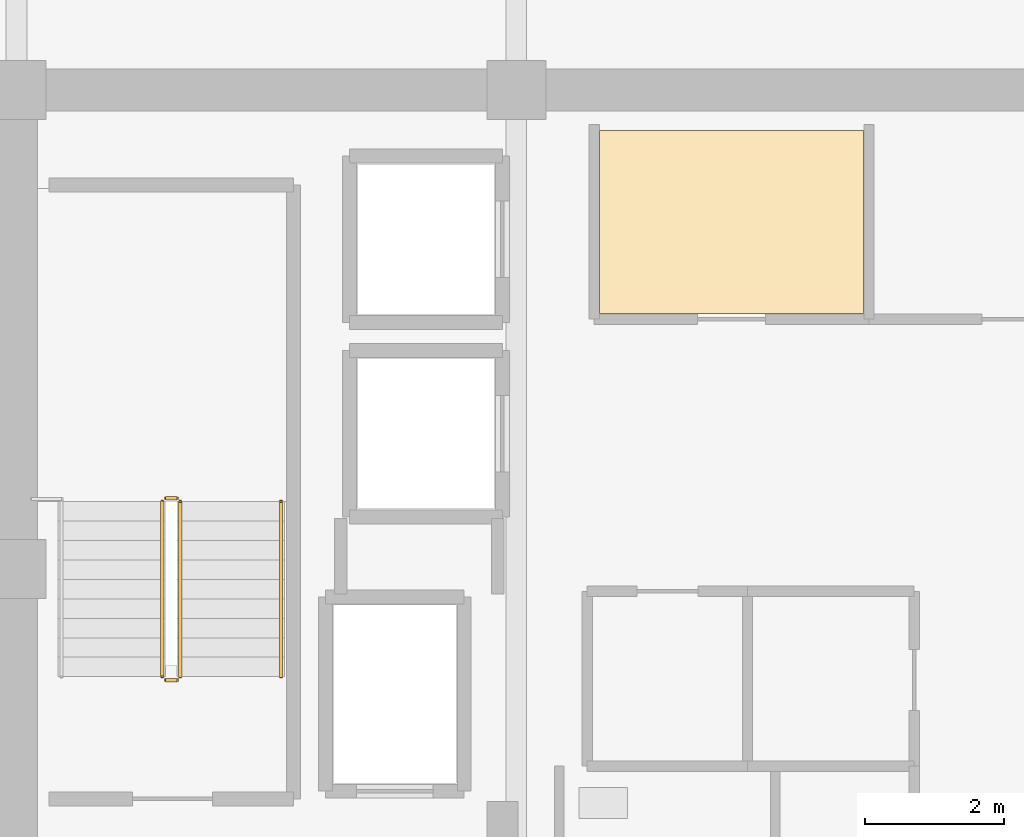
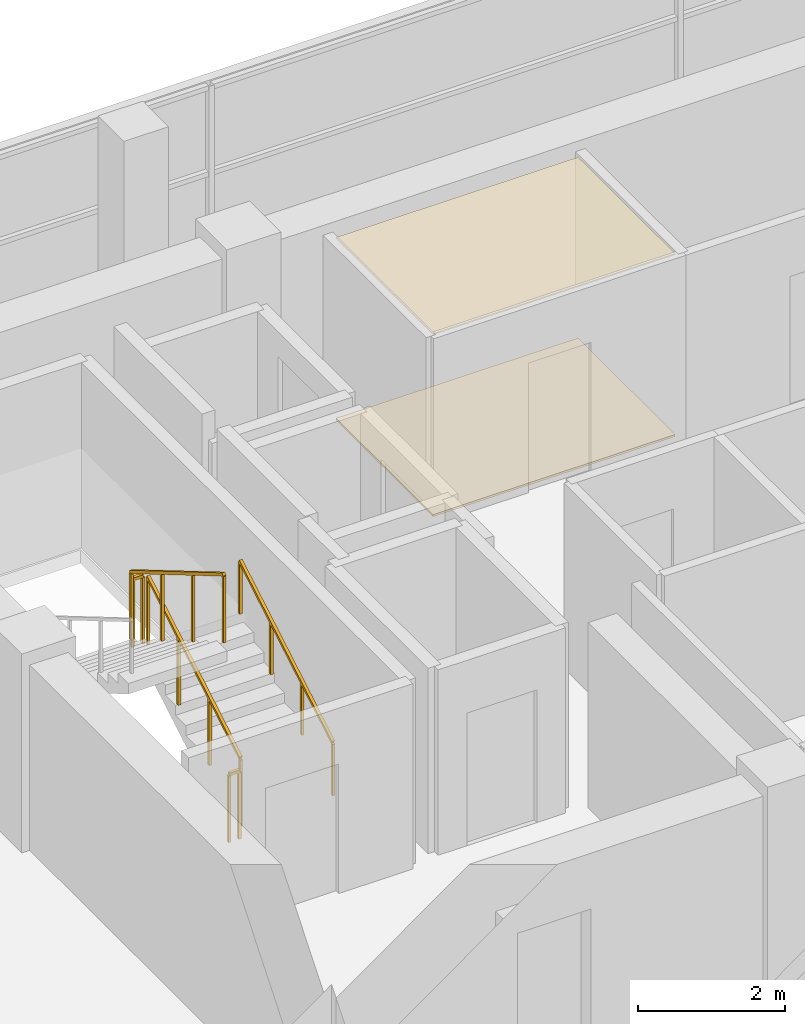
# One storey, part 20 of 22: 5 railings, 2 coverings.
"""IFC4 building model written with IfcOpenShell, lengths in metres."""

from ifc_helpers import new_model, si_unit, direction, frame, origin, origin_2d, place, context, subcontext, project, spatial, polyline, rectangle, outline, extrude, material, layer, layer_set, type_object, element, save


model = new_model("IFC4")

# Units and contexts
model_context = context("Model", 3, precision=1e-05, world=origin(), true_north=direction((0.0, 1.0)))
body_context = subcontext(model_context, "Body", "Model", "MODEL_VIEW")
ifc_project = project(units=[si_unit("LENGTHUNIT", "METRE"), si_unit("AREAUNIT", "SQUARE_METRE"), si_unit("VOLUMEUNIT", "CUBIC_METRE"), si_unit("PLANEANGLEUNIT", "RADIAN"), si_unit("MASSUNIT", "GRAM", prefix="KILO")], contexts=[model_context])

# Site, building, storey
site_placement = place(None, origin())
site = spatial("IfcSite", under=ifc_project, at=site_placement, CompositionType="ELEMENT")
building_placement = place(site_placement, origin())
building = spatial("IfcBuilding", under=site, at=building_placement, Name="Zarnakvel Exchange Tower", CompositionType="ELEMENT")
storey_placement = place(building_placement, frame((0.0, 0.0, 222.10009765625)))
storey = spatial("IfcBuildingStorey", under=building, at=storey_placement, Name="L62", CompositionType="ELEMENT", Elevation=222.10009765625)

# Coverings
ifc_material_1 = material(Name="Perforated Bronze Acoustic Metal Ceiling", Category="aluminium")
ifc_layer_1 = layer(ifc_material_1, 0.02001953125)
ifc_layer_set_1 = layer_set([ifc_layer_1], Name="Perforated Bronze Acoustic Metal Ceiling")
covering_type_1 = type_object("IfcCoveringType", Name="CLG-01", PredefinedType="CEILING", material=ifc_layer_set_1)
covering_1_placement = place(storey_placement, frame((0.0, 0.0, 3.014892578125)))
element("IfcCovering", 1, at=covering_1_placement, inside=storey, type_object=covering_type_1, Name="L62 Suspended Acoustic Ceiling (Clearing Records Office)", PredefinedType="CEILING", context=body_context, shape_type="SweptSolid", body=[
    extrude(outline(polyline([(-6.0, 12.919921875), (-2.199951171875, 12.919921875), (-2.199951171875, 10.280029296875), (-6.0, 10.280029296875), (-6.0, 12.919921875)])), origin(), (0.0, 0.0, 1.0), 0.02001953125),
])
ifc_material_2 = material(Name="Heavy-Duty Raised Access Floor Panel", Category="steel")
ifc_layer_2 = layer(ifc_material_2, 0.034912109375)
ifc_layer_set_2 = layer_set([ifc_layer_2], Name="Heavy-Duty Raised Access Floor Panel")
covering_type_2 = type_object("IfcCoveringType", Name="FLR-02", PredefinedType="FLOORING", material=ifc_layer_set_2)
covering_2_placement = place(storey_placement, origin())
element("IfcCovering", 2, at=covering_2_placement, inside=storey, type_object=covering_type_2, Name="L62 Floor Finish (Clearing Records Office)", PredefinedType="FLOORING", context=body_context, shape_type="SweptSolid", body=[
    extrude(outline(polyline([(-6.0, 12.919921875), (-2.199951171875, 12.919921875), (-2.199951171875, 10.280029296875), (-6.0, 10.280029296875), (-6.0, 12.919921875)])), origin(), (0.0, 0.0, 1.0), 0.034912109375),
])

# Railings
ifc_material_3 = material(Name="Brushed Stainless Steel", Category="steel")
railing_type_1 = type_object("IfcRailingType", Name="HR-01", PredefinedType="HANDRAIL", material=ifc_material_3)
railing_1_placement = place(storey_placement, frame((-10.590087890625, 5.050048828125, 0.164794921875)))
element("IfcRailing", 3, at=railing_1_placement, inside=storey, type_object=railing_type_1, Name="L62 ST-01 stair handrail 1", PredefinedType="HANDRAIL", context=body_context, shape_type="SweptSolid", body=[
    extrude(rectangle(XDim=0.048095703125, YDim=0.048095703125, at=origin_2d()), frame((0.0, 0.0, 0.8759765625), z_axis=(0.0, 0.86152411907, 0.507716645641), x_axis=(-1.0, 0.0, 0.0)), (0.0, 0.0, 1.0), 2.925048828125),
    extrude(rectangle(XDim=0.0419921875, YDim=0.0419921875, at=origin_2d()), origin(), (0.0, 0.0, 1.0), 0.851806640625),
    extrude(rectangle(XDim=0.0419921875, YDim=0.0419921875, at=origin_2d()), frame((0.0, 0.840087890625, 0.4951171875)), (0.0, 0.0, 1.0), 0.851806640625),
    extrude(rectangle(XDim=0.0419921875, YDim=0.0419921875, at=origin_2d()), frame((0.0, 1.679931640625, 0.989990234375)), (0.0, 0.0, 1.0), 0.851806640625),
    extrude(rectangle(XDim=0.0419921875, YDim=0.0419921875, at=origin_2d()), frame((0.0, 2.52001953125, 1.485107421875)), (0.0, 0.0, 1.0), 0.851806640625),
])
ifc_material_4 = material(Name="Architectural Bronze Anodised Aluminium", Category="aluminium")
railing_type_2 = type_object("IfcRailingType", Name="SG-01", PredefinedType="GUARDRAIL", material=ifc_material_4)
railing_2_placement = place(storey_placement, frame((-12.0400390625, 5.050048828125, 0.164794921875)))
element("IfcRailing", 4, at=railing_2_placement, inside=storey, type_object=railing_type_2, Name="L62 ST-01 stair guard 1", PredefinedType="GUARDRAIL", context=body_context, shape_type="SweptSolid", body=[
    extrude(rectangle(XDim=0.048095703125, YDim=0.048095703125, at=origin_2d()), frame((0.0, 0.0, 1.1259765625), z_axis=(0.0, 0.86152411907, 0.507716645641), x_axis=(-1.0, 0.0, 0.0)), (0.0, 0.0, 1.0), 2.925048828125),
    extrude(rectangle(XDim=0.0419921875, YDim=0.0419921875, at=origin_2d()), origin(), (0.0, 0.0, 1.0), 1.101806640625),
    extrude(rectangle(XDim=0.0419921875, YDim=0.0419921875, at=origin_2d()), frame((0.0, 0.840087890625, 0.4951171875)), (0.0, 0.0, 1.0), 1.101806640625),
    extrude(rectangle(XDim=0.0419921875, YDim=0.0419921875, at=origin_2d()), frame((0.0, 1.679931640625, 0.989990234375)), (0.0, 0.0, 1.0), 1.101806640625),
    extrude(rectangle(XDim=0.0419921875, YDim=0.0419921875, at=origin_2d()), frame((0.0, 2.52001953125, 1.485107421875)), (0.0, 0.0, 1.0), 1.101806640625),
])
railing_3_placement = place(storey_placement, frame((-12.090087890625, 7.6201171875, 1.64990234375)))
element("IfcRailing", 5, at=railing_3_placement, inside=storey, type_object=railing_type_2, Name="L62 ST-01 stair guard 2", PredefinedType="GUARDRAIL", context=body_context, shape_type="SweptSolid", body=[
    extrude(rectangle(XDim=0.048095703125, YDim=0.048095703125, at=origin_2d()), frame((0.0, 0.0, 1.1259765625), z_axis=(-1.0, 0.0, 0.0), x_axis=(0.0, -1.0, 0.0)), (0.0, 0.0, 1.0), 0.159912109375),
    extrude(rectangle(XDim=0.0419921875, YDim=0.0419921875, at=origin_2d()), origin(), (0.0, 0.0, 1.0), 1.101806640625),
    extrude(rectangle(XDim=0.0419921875, YDim=0.0419921875, at=origin_2d()), frame((-0.159912109375, 0.0, 0.0)), (0.0, 0.0, 1.0), 1.101806640625),
])
railing_4_placement = place(storey_placement, frame((-12.300048828125, 7.570068359375, 1.81494140625)))
element("IfcRailing", 6, at=railing_4_placement, inside=storey, type_object=railing_type_2, Name="L62 ST-01 stair guard 3", PredefinedType="GUARDRAIL", context=body_context, shape_type="SweptSolid", body=[
    extrude(rectangle(XDim=0.048095703125, YDim=0.048095703125, at=origin_2d()), frame((0.0, 0.0, 1.1259765625), z_axis=(0.0, -0.861560626758, 0.507654692109), x_axis=(1.0, 0.0, 0.0)), (0.0, 0.0, 1.0), 2.925048828125),
    extrude(rectangle(XDim=0.0419921875, YDim=0.0419921875, at=origin_2d()), origin(), (0.0, 0.0, 1.0), 1.101806640625),
    extrude(rectangle(XDim=0.0419921875, YDim=0.0419921875, at=origin_2d()), frame((0.0, -0.840087890625, 0.494873046875)), (0.0, 0.0, 1.0), 1.101806640625),
    extrude(rectangle(XDim=0.0419921875, YDim=0.0419921875, at=origin_2d()), frame((0.0, -1.679931640625, 0.989990234375)), (0.0, 0.0, 1.0), 1.101806640625),
    extrude(rectangle(XDim=0.0419921875, YDim=0.0419921875, at=origin_2d()), frame((0.0, -2.52001953125, 1.48486328125)), (0.0, 0.0, 1.0), 1.101806640625),
])
railing_5_placement = place(storey_placement, frame((-12.090087890625, 5.0, 0.0)))
element("IfcRailing", 7, at=railing_5_placement, inside=storey, type_object=railing_type_2, Name="L62 ST-01 stair guard 4", PredefinedType="GUARDRAIL", context=body_context, shape_type="SweptSolid", body=[
    extrude(rectangle(XDim=0.048095703125, YDim=0.048095703125, at=origin_2d()), frame((0.0, 0.0, 1.1259765625), z_axis=(-1.0, 0.0, 0.0), x_axis=(0.0, -1.0, 0.0)), (0.0, 0.0, 1.0), 0.159912109375),
    extrude(rectangle(XDim=0.0419921875, YDim=0.0419921875, at=origin_2d()), origin(), (0.0, 0.0, 1.0), 1.101806640625),
    extrude(rectangle(XDim=0.0419921875, YDim=0.0419921875, at=origin_2d()), frame((-0.159912109375, 0.0, 0.0)), (0.0, 0.0, 1.0), 1.101806640625),
])

save(model, "model.ifc")
